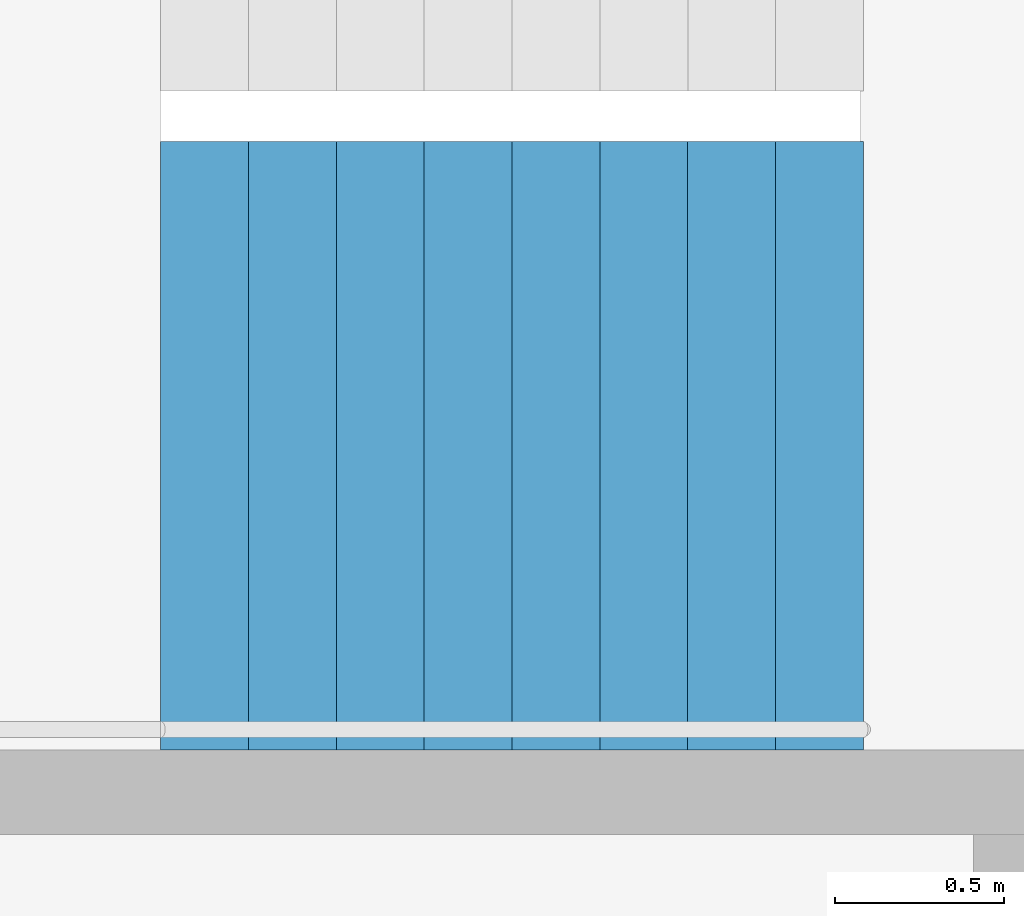
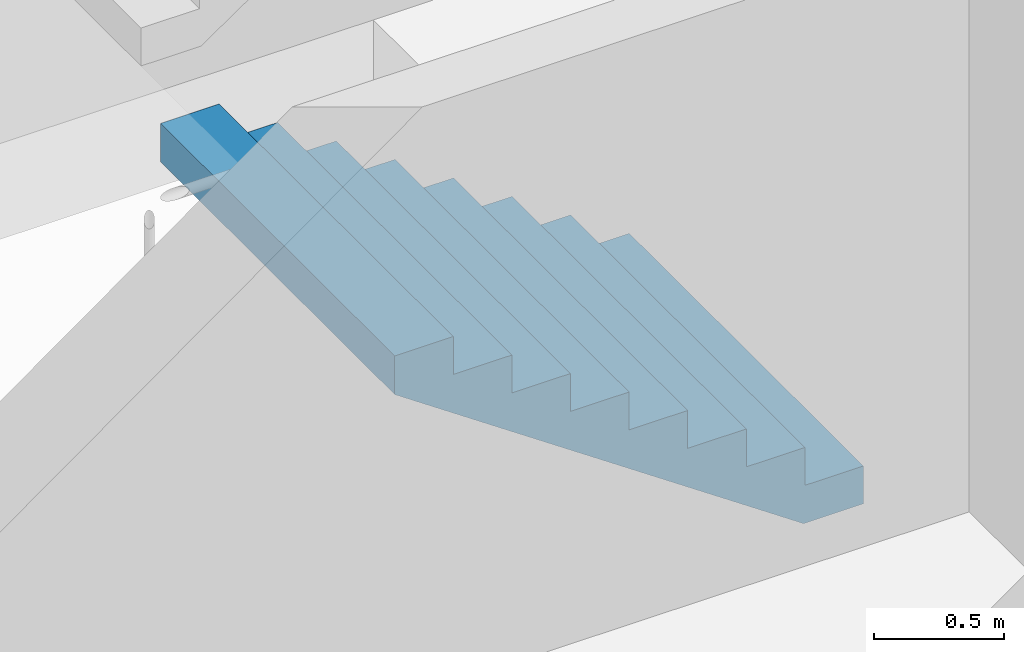
# One storey, part 24 of 26: 1 stair flight, 1 element without a shape of its own.
"""IFC4 building model written with IfcOpenShell, lengths in metres."""

import ifcopenshell
import ifcopenshell.guid

model = None  # the IFC model being written
_history = None  # IfcOwnerHistory: only IFC2X3 demands one
_inside = {}  # id of a spatial element -> (the spatial element, [elements in it])
_under = {}  # id of a project, library or spatial element -> (it, [spatial elements below it])
_declared = {}  # id of a project -> (the project, [libraries it declares])
_typed = {}  # id of a type object -> (the type object, [elements of that type])
_made_of = {}  # id of a material, layer set ... -> (it, [elements and type objects made of it])


def new_model(schema):
    """Start an empty IFC model of exactly this schema.

    Asked for "IFC4X3", IfcOpenShell would pick the latest addendum, in which some entities
    have other attributes; the version numbers below select the first issue.
    IFC2X3 requires an IfcOwnerHistory on every rooted entity: one is made here for all.
    """
    global model, _history
    if schema == "IFC4X3":
        model = ifcopenshell.file(schema_version=(4, 3, 0, 0))
    else:
        model = ifcopenshell.file(schema=schema)
    _inside.clear()
    _under.clear()
    _declared.clear()
    _typed.clear()
    _made_of.clear()
    _history = None
    if model.schema == "IFC2X3":
        org = make("IfcOrganization", Name="unknown")
        user = make(
            "IfcPersonAndOrganization",
            ThePerson=make("IfcPerson", FamilyName="unknown"),
            TheOrganization=org,
        )
        app = make(
            "IfcApplication",
            ApplicationDeveloper=org,
            Version="unknown",
            ApplicationFullName="unknown",
            ApplicationIdentifier="unknown",
        )
        _history = make(
            "IfcOwnerHistory",
            OwningUser=user,
            OwningApplication=app,
            ChangeAction="ADDED",
            CreationDate=0,
        )
    return model


def make(cls, **values):
    """One entity of the class cls with the attributes given. An attribute that is None is left unset."""
    return model.create_entity(
        cls, **{name: value for name, value in values.items() if value is not None}
    )


def rooted(cls, **values):
    """An entity with a GlobalId (a new one), such as an element, a storey or a relation."""
    return make(cls, GlobalId=ifcopenshell.guid.new(), OwnerHistory=_history, **values)


def si_unit(unit_type, name, prefix=None):
    """IfcSIUnit, for example si_unit("LENGTHUNIT", "METRE", prefix="MILLI")."""
    return make("IfcSIUnit", UnitType=unit_type, Prefix=prefix, Name=name)


def assignment(units):
    """IfcUnitAssignment: the units of a project."""
    return None if units is None else make("IfcUnitAssignment", Units=units)


def point(xyz):
    """IfcCartesianPoint."""
    return None if xyz is None else make("IfcCartesianPoint", Coordinates=xyz)


def direction(xyz):
    """IfcDirection."""
    return None if xyz is None else make("IfcDirection", DirectionRatios=xyz)


def frame(location, z_axis=None, x_axis=None):
    """IfcAxis2Placement3D, a coordinate frame: its origin and axes. An axis left out is left unset."""
    return make(
        "IfcAxis2Placement3D",
        Location=point(location),
        Axis=direction(z_axis),
        RefDirection=direction(x_axis),
    )


def origin():
    """The frame at (0, 0, 0) with its axes left unset."""
    return frame((0.0, 0.0, 0.0))


def place(relative_to, where):
    """IfcLocalPlacement: puts the frame where relative to a parent placement (None: the world)."""
    return make(
        "IfcLocalPlacement", PlacementRelTo=relative_to, RelativePlacement=where
    )


def context(
    kind, dimensions, precision=None, world=None, true_north=None, identifier=None
):
    """IfcGeometricRepresentationContext, for example the 3D "Model" context."""
    return make(
        "IfcGeometricRepresentationContext",
        ContextIdentifier=identifier,
        ContextType=kind,
        CoordinateSpaceDimension=dimensions,
        Precision=precision,
        WorldCoordinateSystem=world,
        TrueNorth=true_north,
    )


def subcontext(parent, identifier, kind, view, scale=None):
    """IfcGeometricRepresentationSubContext, for example "Body" below "Model"."""
    return make(
        "IfcGeometricRepresentationSubContext",
        ContextIdentifier=identifier,
        ContextType=kind,
        ParentContext=parent,
        TargetScale=scale,
        TargetView=view,
    )


def project(units=None, contexts=None):
    """IfcProject with its units and contexts."""
    return rooted(
        "IfcProject",
        Name="project",
        RepresentationContexts=contexts,
        UnitsInContext=assignment(units),
    )


def spatial(cls, under=None, at=None, **own):
    """A site, building, storey or space (cls), placed at a placement, below another one or the project."""
    s = rooted(cls, ObjectPlacement=at, **own)
    if under is not None:
        _under.setdefault(under.id(), (under, []))[1].append(s)
    return s


def point_list(points):
    """IfcCartesianPointList2D or 3D."""
    cls = (
        "IfcCartesianPointList2D" if len(points[0]) == 2 else "IfcCartesianPointList3D"
    )
    return make(cls, CoordList=points)


def triangles(points, corners, closed=None, point_numbers=None):
    """IfcTriangulatedFaceSet: each triangle names its three corners, points numbered from 1."""
    return make(
        "IfcTriangulatedFaceSet",
        Coordinates=point_list(points),
        Closed=closed,
        CoordIndex=corners,
        PnIndex=point_numbers,
    )


def shape(context_of_items, identifier, shape_type, items):
    """IfcShapeRepresentation: the items that make up one representation, for example the "Body"."""
    return make(
        "IfcShapeRepresentation",
        ContextOfItems=context_of_items,
        RepresentationIdentifier=identifier,
        RepresentationType=shape_type,
        Items=items,
    )


def material(Name=None, Category=None):
    """IfcMaterial."""
    return make("IfcMaterial", Name=Name, Category=Category)


def made_of(thing, what):
    """Note that an element or type object is made of a material, layer set ...; save() writes the relation."""
    if what is not None:
        _made_of.setdefault(what.id(), (what, []))[1].append(thing)
    return thing


def type_object(cls, material=None, **own):
    """A type object (cls), such as IfcWallType, which elements share."""
    return made_of(rooted(cls, **own), material)


def element(
    cls,
    number,
    at=None,
    inside=None,
    cuts=None,
    type_object=None,
    material=None,
    context=None,
    identifier="Body",
    shape_type=None,
    held_by="IfcProductDefinitionShape",
    body=None,
    shapes=None,
    **own,
):
    """One element of the class cls, such as IfcWall. Its Tag is "e" and its number.

    at: its placement. inside: the storey or other place that contains it. cuts: it is an
    opening in that element (IfcRelVoidsElement). A single representation is given by context,
    identifier, shape_type and body (its items); several are given by shapes. held_by: the class
    of the entity that holds the representations. save() writes the other relations.
    """
    e = rooted(cls, Tag="e%d" % number, ObjectPlacement=at, **own)
    if body is not None:
        shapes = [shape(context, identifier, shape_type, body)]
    if shapes is not None:
        e.Representation = make(held_by, Representations=shapes)
    if inside is not None:
        _inside.setdefault(inside.id(), (inside, []))[1].append(e)
    if cuts is not None:
        rooted(
            "IfcRelVoidsElement", RelatingBuildingElement=cuts, RelatedOpeningElement=e
        )
    if type_object is not None:
        _typed.setdefault(type_object.id(), (type_object, []))[1].append(e)
    return made_of(e, material)


def aggregate(whole, parts):
    """IfcRelAggregates: a whole, such as a stair, and the parts it consists of."""
    return rooted("IfcRelAggregates", RelatingObject=whole, RelatedObjects=parts)


def save(model, path):
    """Write the relations noted so far, then the file.

    IfcRelAggregates (storeys below a building ...), IfcRelContainedInSpatialStructure (elements
    in a storey), IfcRelDefinesByType, IfcRelAssociatesMaterial and IfcRelDeclares: one each for
    every whole, place, type object, material and project.
    """
    for whole, parts in _under.values():
        aggregate(whole, parts)
    for where, things in _inside.values():
        rooted(
            "IfcRelContainedInSpatialStructure",
            RelatedElements=things,
            RelatingStructure=where,
        )
    for kind, things in _typed.values():
        rooted("IfcRelDefinesByType", RelatedObjects=things, RelatingType=kind)
    for what, things in _made_of.values():
        rooted("IfcRelAssociatesMaterial", RelatedObjects=things, RelatingMaterial=what)
    for by, libraries in _declared.values():
        rooted("IfcRelDeclares", RelatingContext=by, RelatedDefinitions=libraries)
    model.write(path)


model = new_model("IFC4")

# Units and contexts
model_context = context("Model", 3, precision=1e-05, world=origin(), true_north=direction((0.0, 1.0)))
body_context = subcontext(model_context, "Body", "Model", "MODEL_VIEW")
ifc_project = project(units=[si_unit("LENGTHUNIT", "METRE"), si_unit("AREAUNIT", "SQUARE_METRE"), si_unit("VOLUMEUNIT", "CUBIC_METRE"), si_unit("PLANEANGLEUNIT", "RADIAN"), si_unit("MASSUNIT", "GRAM", prefix="KILO")], contexts=[model_context])

# Site, building, storey
site_placement = place(None, origin())
site = spatial("IfcSite", under=ifc_project, at=site_placement, CompositionType="ELEMENT")
building_placement = place(site_placement, origin())
building = spatial("IfcBuilding", under=site, at=building_placement, Name="Hakoniwa Tower and Hamabe Station Hall", CompositionType="ELEMENT")
storey_placement = place(building_placement, frame((0.0, 0.0, 153.39990234375)))
storey = spatial("IfcBuildingStorey", under=building, at=storey_placement, Name="L43", CompositionType="ELEMENT", Elevation=153.39990234375)

# Stair, stair flight
ifc_material_1 = material(Name="Concrete C40", Category="concrete")
stair_type = type_object("IfcStairType", Name="ESCAPE STAIR 1800", PredefinedType="HALF_TURN_STAIR", material=ifc_material_1)
stair_placement = place(storey_placement, origin())
stair = element("IfcStair", 1, at=stair_placement, inside=storey, type_object=stair_type, Name="Escape stair ST-3 L43", PredefinedType="HALF_TURN_STAIR")
ifc_material_2 = material(Name="Concrete C40", Category="concrete")
stair_flight_type = type_object("IfcStairFlightType", Name="STAIR FLIGHT 1800", PredefinedType="STRAIGHT", material=ifc_material_2)
stair_flight_placement = place(storey_placement, frame((24.39990234375, 4.64990234375, 0.0), z_axis=(0.0, 0.0, 1.0), x_axis=(-1.0, 0.0, 0.0)))
stair_flight = element("IfcStairFlight", 2, at=stair_flight_placement, type_object=stair_flight_type, Name="ST-3 flight 1", NumberOfRisers=9, NumberOfTreads=8, PredefinedType="STRAIGHT", RiserHeight=0.177777778, TreadLength=0.26, context=body_context, shape_type="Tessellation", body=[
    triangles([(0.0, 0.89990234375, 0.0), (0.260009765625, 0.89990234375, 0.0), (0.265625, 0.89990234375, 0.0), (0.52001953125, 0.89990234375, 0.174072265625), (0.780029296875, 0.89990234375, 0.351806640625), (1.0400390625, 0.89990234375, 0.529541015625), (1.300048828125, 0.89990234375, 0.707275390625), (1.56005859375, 0.89990234375, 0.885009765625), (1.820068359375, 0.89990234375, 1.062744140625), (2.080078125, 0.89990234375, 1.24072265625), (2.080078125, 0.89990234375, 1.422119140625), (1.820068359375, 0.89990234375, 1.422119140625), (1.820068359375, 0.89990234375, 1.244384765625), (1.56005859375, 0.89990234375, 1.244384765625), (1.56005859375, 0.89990234375, 1.066650390625), (1.300048828125, 0.89990234375, 1.066650390625), (1.300048828125, 0.89990234375, 0.888916015625), (1.0400390625, 0.89990234375, 0.888916015625), (1.0400390625, 0.89990234375, 0.711181640625), (0.780029296875, 0.89990234375, 0.711181640625), (0.780029296875, 0.89990234375, 0.533447265625), (0.52001953125, 0.89990234375, 0.533447265625), (0.52001953125, 0.89990234375, 0.35546875), (0.265625, 0.89990234375, 0.35546875), (0.260009765625, 0.89990234375, 0.35546875), (0.260009765625, 0.89990234375, 0.177734375), (0.0, 0.89990234375, 0.177734375), (0.0, 0.06005859375, 0.0), (0.260009765625, 0.06005859375, 0.0), (0.265625, 0.06005859375, 0.0), (0.52001953125, 0.06005859375, 0.174072265625), (0.780029296875, 0.06005859375, 0.351806640625), (1.0400390625, 0.06005859375, 0.529541015625), (1.300048828125, 0.06005859375, 0.707275390625), (1.56005859375, 0.06005859375, 0.885009765625), (1.820068359375, 0.06005859375, 1.062744140625), (2.080078125, 0.06005859375, 1.24072265625), (2.080078125, 0.06005859375, 1.422119140625), (1.820068359375, 0.06005859375, 1.422119140625), (1.820068359375, 0.06005859375, 1.244384765625), (1.56005859375, 0.06005859375, 1.244384765625), (1.56005859375, 0.06005859375, 1.066650390625), (1.300048828125, 0.06005859375, 1.066650390625), (1.300048828125, 0.06005859375, 0.888916015625), (1.0400390625, 0.06005859375, 0.888916015625), (1.0400390625, 0.06005859375, 0.711181640625), (0.780029296875, 0.06005859375, 0.711181640625), (0.780029296875, 0.06005859375, 0.533447265625), (0.52001953125, 0.06005859375, 0.533447265625), (0.52001953125, 0.06005859375, 0.35546875), (0.265625, 0.06005859375, 0.35546875), (0.260009765625, 0.06005859375, 0.35546875), (0.260009765625, 0.06005859375, 0.177734375), (0.0, 0.06005859375, 0.177734375), (0.0, 0.04296875, 0.0), (0.260009765625, 0.04296875, 0.0), (0.265625, 0.04296875, 0.0), (0.52001953125, 0.04296875, 0.174072265625), (0.780029296875, 0.04296875, 0.351806640625), (1.0400390625, 0.04296875, 0.529541015625), (1.300048828125, 0.04296875, 0.707275390625), (1.56005859375, 0.04296875, 0.885009765625), (1.820068359375, 0.04296875, 1.062744140625), (2.080078125, 0.04296875, 1.24072265625), (2.080078125, 0.04296875, 1.422119140625), (1.820068359375, 0.04296875, 1.422119140625), (1.820068359375, 0.04296875, 1.244384765625), (1.56005859375, 0.04296875, 1.244384765625), (1.56005859375, 0.04296875, 1.066650390625), (1.300048828125, 0.04296875, 1.066650390625), (1.300048828125, 0.04296875, 0.888916015625), (1.0400390625, 0.04296875, 0.888916015625), (1.0400390625, 0.04296875, 0.711181640625), (0.780029296875, 0.04296875, 0.711181640625), (0.780029296875, 0.04296875, 0.533447265625), (0.52001953125, 0.04296875, 0.533447265625), (0.52001953125, 0.04296875, 0.35546875), (0.265625, 0.04296875, 0.35546875), (0.260009765625, 0.04296875, 0.35546875), (0.260009765625, 0.04296875, 0.177734375), (0.0, 0.04296875, 0.177734375), (0.0, 0.025634765625, 0.0), (0.260009765625, 0.025634765625, 0.0), (0.265625, 0.025634765625, 0.0), (0.52001953125, 0.025634765625, 0.174072265625), (0.780029296875, 0.025634765625, 0.351806640625), (1.0400390625, 0.025634765625, 0.529541015625), (1.300048828125, 0.025634765625, 0.707275390625), (1.56005859375, 0.025634765625, 0.885009765625), (1.820068359375, 0.025634765625, 1.062744140625), (2.080078125, 0.025634765625, 1.24072265625), (2.080078125, 0.025634765625, 1.422119140625), (1.820068359375, 0.025634765625, 1.422119140625), (1.820068359375, 0.025634765625, 1.244384765625), (1.56005859375, 0.025634765625, 1.244384765625), (1.56005859375, 0.025634765625, 1.066650390625), (1.300048828125, 0.025634765625, 1.066650390625), (1.300048828125, 0.025634765625, 0.888916015625), (1.0400390625, 0.025634765625, 0.888916015625), (1.0400390625, 0.025634765625, 0.711181640625), (0.780029296875, 0.025634765625, 0.711181640625), (0.780029296875, 0.025634765625, 0.533447265625), (0.52001953125, 0.025634765625, 0.533447265625), (0.52001953125, 0.025634765625, 0.35546875), (0.265625, 0.025634765625, 0.35546875), (0.260009765625, 0.025634765625, 0.35546875), (0.260009765625, 0.025634765625, 0.177734375), (0.0, 0.025634765625, 0.177734375), (0.0, 0.008544921875, 0.0), (0.260009765625, 0.008544921875, 0.0), (0.265625, 0.008544921875, 0.0), (0.52001953125, 0.008544921875, 0.174072265625), (0.780029296875, 0.008544921875, 0.351806640625), (1.0400390625, 0.008544921875, 0.529541015625), (1.300048828125, 0.008544921875, 0.707275390625), (1.56005859375, 0.008544921875, 0.885009765625), (1.820068359375, 0.008544921875, 1.062744140625), (2.080078125, 0.008544921875, 1.24072265625), (2.080078125, 0.008544921875, 1.422119140625), (1.820068359375, 0.008544921875, 1.422119140625), (1.820068359375, 0.008544921875, 1.244384765625), (1.56005859375, 0.008544921875, 1.244384765625), (1.56005859375, 0.008544921875, 1.066650390625), (1.300048828125, 0.008544921875, 1.066650390625), (1.300048828125, 0.008544921875, 0.888916015625), (1.0400390625, 0.008544921875, 0.888916015625), (1.0400390625, 0.008544921875, 0.711181640625), (0.780029296875, 0.008544921875, 0.711181640625), (0.780029296875, 0.008544921875, 0.533447265625), (0.52001953125, 0.008544921875, 0.533447265625), (0.52001953125, 0.008544921875, 0.35546875), (0.265625, 0.008544921875, 0.35546875), (0.260009765625, 0.008544921875, 0.35546875), (0.260009765625, 0.008544921875, 0.177734375), (0.0, 0.008544921875, 0.177734375), (0.0, -0.008544921875, 0.0), (0.260009765625, -0.008544921875, 0.0), (0.265625, -0.008544921875, 0.0), (0.52001953125, -0.008544921875, 0.174072265625), (0.780029296875, -0.008544921875, 0.351806640625), (1.0400390625, -0.008544921875, 0.529541015625), (1.300048828125, -0.008544921875, 0.707275390625), (1.56005859375, -0.008544921875, 0.885009765625), (1.820068359375, -0.008544921875, 1.062744140625), (2.080078125, -0.008544921875, 1.24072265625), (2.080078125, -0.008544921875, 1.422119140625), (1.820068359375, -0.008544921875, 1.422119140625), (1.820068359375, -0.008544921875, 1.244384765625), (1.56005859375, -0.008544921875, 1.244384765625), (1.56005859375, -0.008544921875, 1.066650390625), (1.300048828125, -0.008544921875, 1.066650390625), (1.300048828125, -0.008544921875, 0.888916015625), (1.0400390625, -0.008544921875, 0.888916015625), (1.0400390625, -0.008544921875, 0.711181640625), (0.780029296875, -0.008544921875, 0.711181640625), (0.780029296875, -0.008544921875, 0.533447265625), (0.52001953125, -0.008544921875, 0.533447265625), (0.52001953125, -0.008544921875, 0.35546875), (0.265625, -0.008544921875, 0.35546875), (0.260009765625, -0.008544921875, 0.35546875), (0.260009765625, -0.008544921875, 0.177734375), (0.0, -0.008544921875, 0.177734375), (0.0, -0.025634765625, 0.0), (0.260009765625, -0.025634765625, 0.0), (0.265625, -0.025634765625, 0.0), (0.52001953125, -0.025634765625, 0.174072265625), (0.780029296875, -0.025634765625, 0.351806640625), (1.0400390625, -0.025634765625, 0.529541015625), (1.300048828125, -0.025634765625, 0.707275390625), (1.56005859375, -0.025634765625, 0.885009765625), (1.820068359375, -0.025634765625, 1.062744140625), (2.080078125, -0.025634765625, 1.24072265625), (2.080078125, -0.025634765625, 1.422119140625), (1.820068359375, -0.025634765625, 1.422119140625), (1.820068359375, -0.025634765625, 1.244384765625), (1.56005859375, -0.025634765625, 1.244384765625), (1.56005859375, -0.025634765625, 1.066650390625), (1.300048828125, -0.025634765625, 1.066650390625), (1.300048828125, -0.025634765625, 0.888916015625), (1.0400390625, -0.025634765625, 0.888916015625), (1.0400390625, -0.025634765625, 0.711181640625), (0.780029296875, -0.025634765625, 0.711181640625), (0.780029296875, -0.025634765625, 0.533447265625), (0.52001953125, -0.025634765625, 0.533447265625), (0.52001953125, -0.025634765625, 0.35546875), (0.265625, -0.025634765625, 0.35546875), (0.260009765625, -0.025634765625, 0.35546875), (0.260009765625, -0.025634765625, 0.177734375), (0.0, -0.025634765625, 0.177734375), (0.0, -0.04296875, 0.0), (0.260009765625, -0.04296875, 0.0), (0.265625, -0.04296875, 0.0), (0.52001953125, -0.04296875, 0.174072265625), (0.780029296875, -0.04296875, 0.351806640625), (1.0400390625, -0.04296875, 0.529541015625), (1.300048828125, -0.04296875, 0.707275390625), (1.56005859375, -0.04296875, 0.885009765625), (1.820068359375, -0.04296875, 1.062744140625), (2.080078125, -0.04296875, 1.24072265625), (2.080078125, -0.04296875, 1.422119140625), (1.820068359375, -0.04296875, 1.422119140625), (1.820068359375, -0.04296875, 1.244384765625), (1.56005859375, -0.04296875, 1.244384765625), (1.56005859375, -0.04296875, 1.066650390625), (1.300048828125, -0.04296875, 1.066650390625), (1.300048828125, -0.04296875, 0.888916015625), (1.0400390625, -0.04296875, 0.888916015625), (1.0400390625, -0.04296875, 0.711181640625), (0.780029296875, -0.04296875, 0.711181640625), (0.780029296875, -0.04296875, 0.533447265625), (0.52001953125, -0.04296875, 0.533447265625), (0.52001953125, -0.04296875, 0.35546875), (0.265625, -0.04296875, 0.35546875), (0.260009765625, -0.04296875, 0.35546875), (0.260009765625, -0.04296875, 0.177734375), (0.0, -0.04296875, 0.177734375), (0.0, -0.06005859375, 0.0), (0.260009765625, -0.06005859375, 0.0), (0.265625, -0.06005859375, 0.0), (0.52001953125, -0.06005859375, 0.174072265625), (0.780029296875, -0.06005859375, 0.351806640625), (1.0400390625, -0.06005859375, 0.529541015625), (1.300048828125, -0.06005859375, 0.707275390625), (1.56005859375, -0.06005859375, 0.885009765625), (1.820068359375, -0.06005859375, 1.062744140625), (2.080078125, -0.06005859375, 1.24072265625), (2.080078125, -0.06005859375, 1.422119140625), (1.820068359375, -0.06005859375, 1.422119140625), (1.820068359375, -0.06005859375, 1.244384765625), (1.56005859375, -0.06005859375, 1.244384765625), (1.56005859375, -0.06005859375, 1.066650390625), (1.300048828125, -0.06005859375, 1.066650390625), (1.300048828125, -0.06005859375, 0.888916015625), (1.0400390625, -0.06005859375, 0.888916015625), (1.0400390625, -0.06005859375, 0.711181640625), (0.780029296875, -0.06005859375, 0.711181640625), (0.780029296875, -0.06005859375, 0.533447265625), (0.52001953125, -0.06005859375, 0.533447265625), (0.52001953125, -0.06005859375, 0.35546875), (0.265625, -0.06005859375, 0.35546875), (0.260009765625, -0.06005859375, 0.35546875), (0.260009765625, -0.06005859375, 0.177734375), (0.0, -0.06005859375, 0.177734375), (0.0, -0.89990234375, 0.0), (0.260009765625, -0.89990234375, 0.0), (0.265625, -0.89990234375, 0.0), (0.52001953125, -0.89990234375, 0.174072265625), (0.780029296875, -0.89990234375, 0.351806640625), (1.0400390625, -0.89990234375, 0.529541015625), (1.300048828125, -0.89990234375, 0.707275390625), (1.56005859375, -0.89990234375, 0.885009765625), (1.820068359375, -0.89990234375, 1.062744140625), (2.080078125, -0.89990234375, 1.24072265625), (2.080078125, -0.89990234375, 1.422119140625), (1.820068359375, -0.89990234375, 1.422119140625), (1.820068359375, -0.89990234375, 1.244384765625), (1.56005859375, -0.89990234375, 1.244384765625), (1.56005859375, -0.89990234375, 1.066650390625), (1.300048828125, -0.89990234375, 1.066650390625), (1.300048828125, -0.89990234375, 0.888916015625), (1.0400390625, -0.89990234375, 0.888916015625), (1.0400390625, -0.89990234375, 0.711181640625), (0.780029296875, -0.89990234375, 0.711181640625), (0.780029296875, -0.89990234375, 0.533447265625), (0.52001953125, -0.89990234375, 0.533447265625), (0.52001953125, -0.89990234375, 0.35546875), (0.265625, -0.89990234375, 0.35546875), (0.260009765625, -0.89990234375, 0.35546875), (0.260009765625, -0.89990234375, 0.177734375), (0.0, -0.89990234375, 0.177734375)], [[2, 27, 26], [245, 269, 270], [2, 1, 27], [245, 270, 244], [3, 25, 24], [246, 267, 268], [3, 26, 25], [246, 268, 269], [3, 2, 26], [246, 269, 245], [4, 24, 23], [247, 266, 267], [4, 3, 24], [247, 267, 246], [5, 22, 21], [248, 264, 265], [5, 23, 22], [248, 265, 266], [5, 4, 23], [248, 266, 247], [6, 20, 19], [249, 262, 263], [6, 21, 20], [249, 263, 264], [6, 5, 21], [249, 264, 248], [7, 18, 17], [250, 260, 261], [7, 19, 18], [250, 261, 262], [7, 6, 19], [250, 262, 249], [8, 16, 15], [251, 258, 259], [8, 17, 16], [251, 259, 260], [8, 7, 17], [251, 260, 250], [9, 14, 13], [252, 256, 257], [9, 15, 14], [252, 257, 258], [9, 8, 15], [252, 258, 251], [10, 12, 11], [253, 254, 255], [10, 13, 12], [253, 255, 256], [10, 9, 13], [253, 256, 252], [1, 2, 29], [1, 29, 28], [28, 29, 56], [28, 56, 55], [55, 56, 83], [55, 83, 82], [82, 83, 110], [82, 110, 109], [109, 110, 137], [109, 137, 136], [136, 137, 164], [136, 164, 163], [163, 164, 191], [163, 191, 190], [190, 191, 218], [190, 218, 217], [217, 218, 245], [217, 245, 244], [2, 3, 30], [2, 30, 29], [29, 30, 57], [29, 57, 56], [56, 57, 84], [56, 84, 83], [83, 84, 111], [83, 111, 110], [110, 111, 138], [110, 138, 137], [137, 138, 165], [137, 165, 164], [164, 165, 192], [164, 192, 191], [191, 192, 219], [191, 219, 218], [218, 219, 246], [218, 246, 245], [3, 4, 31], [3, 31, 30], [30, 31, 58], [30, 58, 57], [57, 58, 85], [57, 85, 84], [84, 85, 112], [84, 112, 111], [111, 112, 139], [111, 139, 138], [138, 139, 166], [138, 166, 165], [165, 166, 193], [165, 193, 192], [192, 193, 220], [192, 220, 219], [219, 220, 247], [219, 247, 246], [4, 5, 32], [4, 32, 31], [31, 32, 59], [31, 59, 58], [58, 59, 86], [58, 86, 85], [85, 86, 113], [85, 113, 112], [112, 113, 140], [112, 140, 139], [139, 140, 167], [139, 167, 166], [166, 167, 194], [166, 194, 193], [193, 194, 221], [193, 221, 220], [220, 221, 248], [220, 248, 247], [5, 6, 33], [5, 33, 32], [32, 33, 60], [32, 60, 59], [59, 60, 87], [59, 87, 86], [86, 87, 114], [86, 114, 113], [113, 114, 141], [113, 141, 140], [140, 141, 168], [140, 168, 167], [167, 168, 195], [167, 195, 194], [194, 195, 222], [194, 222, 221], [221, 222, 249], [221, 249, 248], [6, 7, 34], [6, 34, 33], [33, 34, 61], [33, 61, 60], [60, 61, 88], [60, 88, 87], [87, 88, 115], [87, 115, 114], [114, 115, 142], [114, 142, 141], [141, 142, 169], [141, 169, 168], [168, 169, 196], [168, 196, 195], [195, 196, 223], [195, 223, 222], [222, 223, 250], [222, 250, 249], [7, 8, 35], [7, 35, 34], [34, 35, 62], [34, 62, 61], [61, 62, 89], [61, 89, 88], [88, 89, 116], [88, 116, 115], [115, 116, 143], [115, 143, 142], [142, 143, 170], [142, 170, 169], [169, 170, 197], [169, 197, 196], [196, 197, 224], [196, 224, 223], [223, 224, 251], [223, 251, 250], [8, 9, 36], [8, 36, 35], [35, 36, 63], [35, 63, 62], [62, 63, 90], [62, 90, 89], [89, 90, 117], [89, 117, 116], [116, 117, 144], [116, 144, 143], [143, 144, 171], [143, 171, 170], [170, 171, 198], [170, 198, 197], [197, 198, 225], [197, 225, 224], [224, 225, 252], [224, 252, 251], [9, 10, 37], [9, 37, 36], [36, 37, 64], [36, 64, 63], [63, 64, 91], [63, 91, 90], [90, 91, 118], [90, 118, 117], [117, 118, 145], [117, 145, 144], [144, 145, 172], [144, 172, 171], [171, 172, 199], [171, 199, 198], [198, 199, 226], [198, 226, 225], [225, 226, 253], [225, 253, 252], [10, 11, 38], [10, 38, 37], [37, 38, 65], [37, 65, 64], [64, 65, 92], [64, 92, 91], [91, 92, 119], [91, 119, 118], [118, 119, 146], [118, 146, 145], [145, 146, 173], [145, 173, 172], [172, 173, 200], [172, 200, 199], [199, 200, 227], [199, 227, 226], [226, 227, 254], [226, 254, 253], [11, 12, 39], [11, 39, 38], [38, 39, 66], [38, 66, 65], [65, 66, 93], [65, 93, 92], [92, 93, 120], [92, 120, 119], [119, 120, 147], [119, 147, 146], [146, 147, 174], [146, 174, 173], [173, 174, 201], [173, 201, 200], [200, 201, 228], [200, 228, 227], [227, 228, 255], [227, 255, 254], [12, 13, 40], [12, 40, 39], [39, 40, 67], [39, 67, 66], [66, 67, 94], [66, 94, 93], [93, 94, 121], [93, 121, 120], [120, 121, 148], [120, 148, 147], [147, 148, 175], [147, 175, 174], [174, 175, 202], [174, 202, 201], [201, 202, 229], [201, 229, 228], [228, 229, 256], [228, 256, 255], [13, 14, 41], [13, 41, 40], [40, 41, 68], [40, 68, 67], [67, 68, 95], [67, 95, 94], [94, 95, 122], [94, 122, 121], [121, 122, 149], [121, 149, 148], [148, 149, 176], [148, 176, 175], [175, 176, 203], [175, 203, 202], [202, 203, 230], [202, 230, 229], [229, 230, 257], [229, 257, 256], [14, 15, 42], [14, 42, 41], [41, 42, 69], [41, 69, 68], [68, 69, 96], [68, 96, 95], [95, 96, 123], [95, 123, 122], [122, 123, 150], [122, 150, 149], [149, 150, 177], [149, 177, 176], [176, 177, 204], [176, 204, 203], [203, 204, 231], [203, 231, 230], [230, 231, 258], [230, 258, 257], [15, 16, 43], [15, 43, 42], [42, 43, 70], [42, 70, 69], [69, 70, 97], [69, 97, 96], [96, 97, 124], [96, 124, 123], [123, 124, 151], [123, 151, 150], [150, 151, 178], [150, 178, 177], [177, 178, 205], [177, 205, 204], [204, 205, 232], [204, 232, 231], [231, 232, 259], [231, 259, 258], [16, 17, 44], [16, 44, 43], [43, 44, 71], [43, 71, 70], [70, 71, 98], [70, 98, 97], [97, 98, 125], [97, 125, 124], [124, 125, 152], [124, 152, 151], [151, 152, 179], [151, 179, 178], [178, 179, 206], [178, 206, 205], [205, 206, 233], [205, 233, 232], [232, 233, 260], [232, 260, 259], [17, 18, 45], [17, 45, 44], [44, 45, 72], [44, 72, 71], [71, 72, 99], [71, 99, 98], [98, 99, 126], [98, 126, 125], [125, 126, 153], [125, 153, 152], [152, 153, 180], [152, 180, 179], [179, 180, 207], [179, 207, 206], [206, 207, 234], [206, 234, 233], [233, 234, 261], [233, 261, 260], [18, 19, 46], [18, 46, 45], [45, 46, 73], [45, 73, 72], [72, 73, 100], [72, 100, 99], [99, 100, 127], [99, 127, 126], [126, 127, 154], [126, 154, 153], [153, 154, 181], [153, 181, 180], [180, 181, 208], [180, 208, 207], [207, 208, 235], [207, 235, 234], [234, 235, 262], [234, 262, 261], [19, 20, 47], [19, 47, 46], [46, 47, 74], [46, 74, 73], [73, 74, 101], [73, 101, 100], [100, 101, 128], [100, 128, 127], [127, 128, 155], [127, 155, 154], [154, 155, 182], [154, 182, 181], [181, 182, 209], [181, 209, 208], [208, 209, 236], [208, 236, 235], [235, 236, 263], [235, 263, 262], [20, 21, 48], [20, 48, 47], [47, 48, 75], [47, 75, 74], [74, 75, 102], [74, 102, 101], [101, 102, 129], [101, 129, 128], [128, 129, 156], [128, 156, 155], [155, 156, 183], [155, 183, 182], [182, 183, 210], [182, 210, 209], [209, 210, 237], [209, 237, 236], [236, 237, 264], [236, 264, 263], [21, 22, 49], [21, 49, 48], [48, 49, 76], [48, 76, 75], [75, 76, 103], [75, 103, 102], [102, 103, 130], [102, 130, 129], [129, 130, 157], [129, 157, 156], [156, 157, 184], [156, 184, 183], [183, 184, 211], [183, 211, 210], [210, 211, 238], [210, 238, 237], [237, 238, 265], [237, 265, 264], [22, 23, 50], [22, 50, 49], [49, 50, 77], [49, 77, 76], [76, 77, 104], [76, 104, 103], [103, 104, 131], [103, 131, 130], [130, 131, 158], [130, 158, 157], [157, 158, 185], [157, 185, 184], [184, 185, 212], [184, 212, 211], [211, 212, 239], [211, 239, 238], [238, 239, 266], [238, 266, 265], [23, 24, 51], [23, 51, 50], [50, 51, 78], [50, 78, 77], [77, 78, 105], [77, 105, 104], [104, 105, 132], [104, 132, 131], [131, 132, 159], [131, 159, 158], [158, 159, 186], [158, 186, 185], [185, 186, 213], [185, 213, 212], [212, 213, 240], [212, 240, 239], [239, 240, 267], [239, 267, 266], [24, 25, 52], [24, 52, 51], [51, 52, 79], [51, 79, 78], [78, 79, 106], [78, 106, 105], [105, 106, 133], [105, 133, 132], [132, 133, 160], [132, 160, 159], [159, 160, 187], [159, 187, 186], [186, 187, 214], [186, 214, 213], [213, 214, 241], [213, 241, 240], [240, 241, 268], [240, 268, 267], [25, 26, 53], [25, 53, 52], [52, 53, 80], [52, 80, 79], [79, 80, 107], [79, 107, 106], [106, 107, 134], [106, 134, 133], [133, 134, 161], [133, 161, 160], [160, 161, 188], [160, 188, 187], [187, 188, 215], [187, 215, 214], [214, 215, 242], [214, 242, 241], [241, 242, 269], [241, 269, 268], [26, 27, 54], [26, 54, 53], [53, 54, 81], [53, 81, 80], [80, 81, 108], [80, 108, 107], [107, 108, 135], [107, 135, 134], [134, 135, 162], [134, 162, 161], [161, 162, 189], [161, 189, 188], [188, 189, 216], [188, 216, 215], [215, 216, 243], [215, 243, 242], [242, 243, 270], [242, 270, 269], [27, 1, 28], [27, 28, 54], [54, 28, 55], [54, 55, 81], [81, 55, 82], [81, 82, 108], [108, 82, 109], [108, 109, 135], [135, 109, 136], [135, 136, 162], [162, 136, 163], [162, 163, 189], [189, 163, 190], [189, 190, 216], [216, 190, 217], [216, 217, 243], [243, 217, 244], [243, 244, 270]], closed=True),
])
aggregate(stair, [stair_flight])

save(model, "model.ifc")
